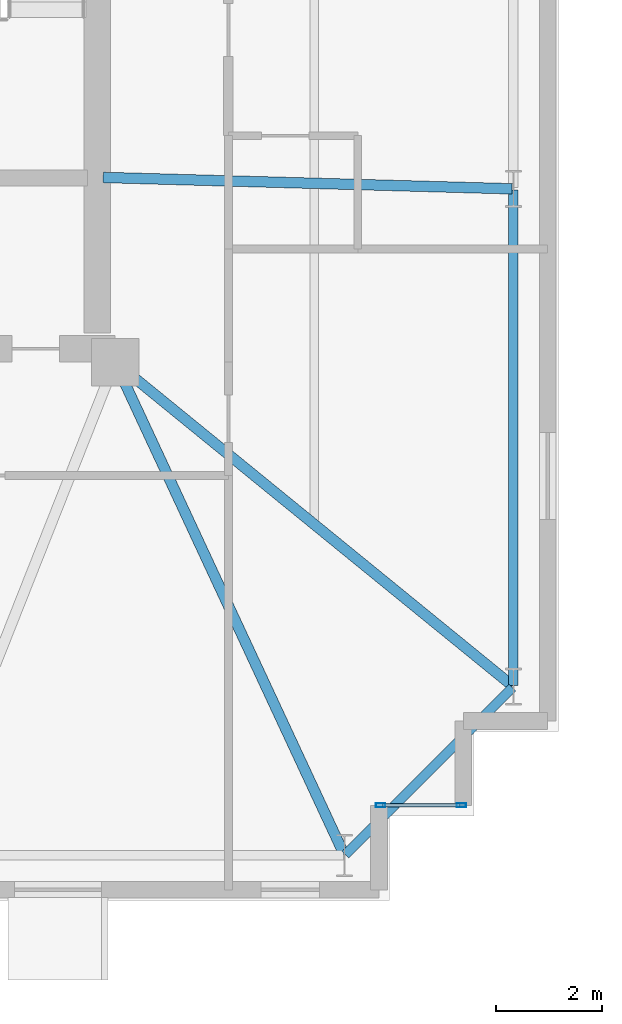
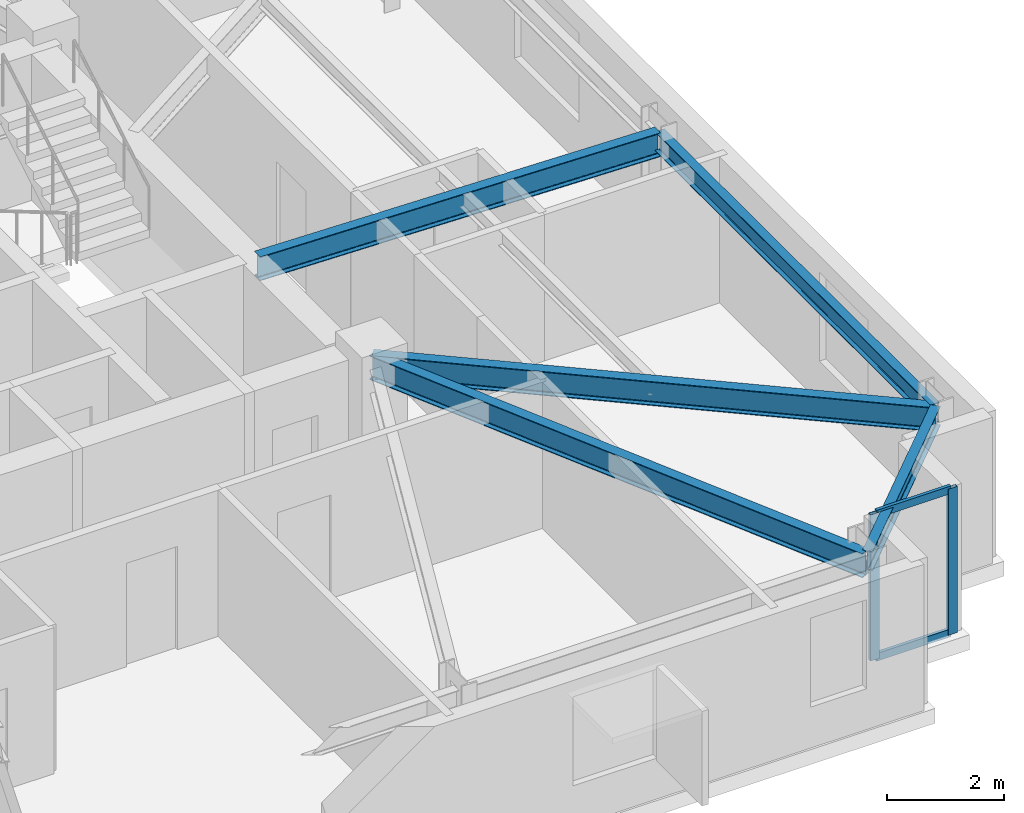
# One storey, part 5 of 17: 5 beams, 4 members, 1 element without a shape of its own.
"""IFC4 building model written with IfcOpenShell, lengths in metres."""

from ifc_helpers import new_model, si_unit, direction, frame, origin, origin_2d, place, context, subcontext, project, spatial, hollow_rectangle, i_section, extrude, material, layer, layer_set, material_profile, profile_set, type_object, element, aggregate, save


model = new_model("IFC4")

# Units and contexts
model_context = context("Model", 3, precision=1e-05, world=origin(), true_north=direction((0.0, 1.0)))
body_context = subcontext(model_context, "Body", "Model", "MODEL_VIEW")
ifc_project = project(units=[si_unit("LENGTHUNIT", "METRE"), si_unit("AREAUNIT", "SQUARE_METRE"), si_unit("VOLUMEUNIT", "CUBIC_METRE"), si_unit("PLANEANGLEUNIT", "RADIAN"), si_unit("MASSUNIT", "GRAM", prefix="KILO")], contexts=[model_context])

# Site, building, storey
site_placement = place(None, origin())
site = spatial("IfcSite", under=ifc_project, at=site_placement, CompositionType="ELEMENT")
building_placement = place(site_placement, origin())
building = spatial("IfcBuilding", under=site, at=building_placement, Name="Qobustan Lattice House", CompositionType="ELEMENT")
storey_placement = place(building_placement, frame((0.0, 0.0, 144.39990234375)))
storey = spatial("IfcBuildingStorey", under=building, at=storey_placement, Name="L40", CompositionType="ELEMENT", Elevation=144.39990234375)

# Beams
ifc_material_1 = material(Name="Steel S355", Category="steel")
ifc_material_profile_1 = material_profile(ifc_material_1, i_section(OverallWidth=0.199951171875, OverallDepth=0.5, WebThickness=0.01025390625, FlangeThickness=0.01611328125, FilletRadius=0.02099609375, at=origin_2d()), Name="IPE500")
ifc_profile_set_1 = profile_set([ifc_material_profile_1], Name="Steel S355")
beam_type_1 = type_object("IfcBeamType", Name="BM-FLG-IPE500", PredefinedType="USERDEFINED", material=ifc_profile_set_1)
beam_1_placement = place(storey_placement, frame((23.139404296875, -14.92724609375, 2.7900390625), z_axis=(-0.421827633168, 0.906676043521, 0.0), x_axis=(-0.906676043521, -0.421827633168, 0.0)))
element("IfcBeam", 1, at=beam_1_placement, inside=storey, type_object=beam_type_1, Name="L40 primary floor girder RAD-S7E", ObjectType="GIRDER", PredefinedType="USERDEFINED", context=body_context, shape_type="SweptSolid", body=[
    extrude(i_section(OverallWidth=0.199951171875, OverallDepth=0.5, WebThickness=0.01025390625, FlangeThickness=0.01611328125, FilletRadius=0.02099609375, at=origin_2d()), origin(), (0.0, 0.0, 1.0), 10.26220703125),
])
beam_2_placement = place(storey_placement, frame((26.324951171875, -2.31591796875, 2.7900390625), z_axis=(-0.999614226396, 0.027774059592, 0.0), x_axis=(-0.027774059592, -0.999614226396, 0.0)))
element("IfcBeam", 2, at=beam_2_placement, inside=storey, type_object=beam_type_1, Name="L40 primary floor girder RAD-E2", ObjectType="GIRDER", PredefinedType="USERDEFINED", context=body_context, shape_type="SweptSolid", body=[
    extrude(i_section(OverallWidth=0.199951171875, OverallDepth=0.5, WebThickness=0.01025390625, FlangeThickness=0.01611328125, FilletRadius=0.02099609375, at=origin_2d()), origin(), (0.0, 0.0, 1.0), 7.7529296875),
])
beam_3_placement = place(storey_placement, frame((26.33056640625, -11.734130859375, 2.7900390625), z_axis=(-0.775328675038, 0.631557951152, 0.0), x_axis=(-0.631557951152, -0.775328675038, 0.0)))
element("IfcBeam", 3, at=beam_3_placement, inside=storey, type_object=beam_type_1, Name="L40 primary floor girder RAD-E1", ObjectType="GIRDER", PredefinedType="USERDEFINED", context=body_context, shape_type="SweptSolid", body=[
    extrude(i_section(OverallWidth=0.199951171875, OverallDepth=0.5, WebThickness=0.01025390625, FlangeThickness=0.01611328125, FilletRadius=0.02099609375, at=origin_2d()), origin(), (0.0, 0.0, 1.0), 9.687744140625),
])
ifc_material_2 = material(Name="Steel S355", Category="steel")
ifc_material_profile_2 = material_profile(ifc_material_2, i_section(OverallWidth=0.179931640625, OverallDepth=0.39990234375, WebThickness=0.008544921875, FlangeThickness=0.013427734375, FilletRadius=0.02099609375, at=origin_2d()), Name="IPE400")
ifc_profile_set_2 = profile_set([ifc_material_profile_2], Name="Steel S355")
beam_type_2 = type_object("IfcBeamType", Name="BM-SPD-IPE400", PredefinedType="SPANDREL", material=ifc_profile_set_2)
beam_4_placement = place(storey_placement, frame((23.167724609375, -14.932373046875, 2.840087890625), z_axis=(0.707079505568, 0.707134055753, 0.0), x_axis=(-0.707134055753, 0.707079505568, 0.0)))
element("IfcBeam", 4, at=beam_4_placement, inside=storey, type_object=beam_type_2, Name="L40 perimeter spandrel S7-E1", PredefinedType="SPANDREL", context=body_context, shape_type="SweptSolid", body=[
    extrude(i_section(OverallWidth=0.179931640625, OverallDepth=0.39990234375, WebThickness=0.008544921875, FlangeThickness=0.013427734375, FilletRadius=0.02099609375, at=origin_2d()), origin(), (0.0, 0.0, 1.0), 4.4755859375),
])
beam_5_placement = place(storey_placement, frame((26.35009765625, -11.72509765625, 2.840087890625), z_axis=(0.0, 1.0, 0.0), x_axis=(-1.0, 0.0, 0.0)))
element("IfcBeam", 5, at=beam_5_placement, inside=storey, type_object=beam_type_2, Name="L40 perimeter spandrel E1-E2", PredefinedType="SPANDREL", context=body_context, shape_type="SweptSolid", body=[
    extrude(i_section(OverallWidth=0.179931640625, OverallDepth=0.39990234375, WebThickness=0.008544921875, FlangeThickness=0.013427734375, FilletRadius=0.02099609375, at=origin_2d()), origin(), (0.0, 0.0, 1.0), 9.38330078125),
])

# Curtain wall, members
ifc_material_3 = material(Name="Anodised aluminium and low-E glazing", Category="aluminium")
ifc_layer = layer(ifc_material_3, 0.219970703125)
ifc_layer_set = layer_set([ifc_layer], Name="Anodised aluminium and low-E glazing")
curtain_wall_type = type_object("IfcCurtainWallType", Name="CW-FAC-02", PredefinedType="USERDEFINED", material=ifc_layer_set)
curtain_wall_placement = place(storey_placement, origin())
curtain_wall = element("IfcCurtainWall", 6, at=curtain_wall_placement, inside=storey, type_object=curtain_wall_type, Name="L40 serrated corner faceted glazing 18", ObjectType="CURTAIN WALL", PredefinedType="USERDEFINED")
ifc_material_4 = material(Name="Anodised aluminium EN AW-6063 T6", Category="aluminium")
ifc_material_profile_3 = material_profile(ifc_material_4, hollow_rectangle(XDim=0.070068359375, YDim=0.179931640625, WallThickness=0.00439453125, at=origin_2d()), Name="CWM-180x70")
ifc_profile_set_3 = profile_set([ifc_material_profile_3], Name="Anodised aluminium EN AW-6063 T6")
member_type_1 = type_object("IfcMemberType", Name="CWM-STD-180", PredefinedType="MULLION", material=ifc_profile_set_3)
member_1_placement = place(storey_placement, frame((25.364990234375, -14.0, 0.0), z_axis=(0.0, 0.0, 1.0), x_axis=(0.0, -1.0, 0.0)))
member_1 = element("IfcMember", 7, at=member_1_placement, type_object=member_type_1, Name="CW-F2 mullion 1", PredefinedType="MULLION", context=body_context, shape_type="SweptSolid", body=[
    extrude(hollow_rectangle(XDim=0.070068359375, YDim=0.179931640625, WallThickness=0.00439453125, at=origin_2d()), origin(), (0.0, 0.0, 1.0), 3.0400390625),
])
member_2_placement = place(storey_placement, frame((23.8349609375, -14.0, 0.0), z_axis=(0.0, 0.0, 1.0), x_axis=(0.0, -1.0, 0.0)))
member_2 = element("IfcMember", 8, at=member_2_placement, type_object=member_type_1, Name="CW-F2 mullion 2", PredefinedType="MULLION", context=body_context, shape_type="SweptSolid", body=[
    extrude(hollow_rectangle(XDim=0.070068359375, YDim=0.179931640625, WallThickness=0.00439453125, at=origin_2d()), origin(), (0.0, 0.0, 1.0), 3.0400390625),
])
ifc_material_5 = material(Name="Anodised aluminium EN AW-6063 T6", Category="aluminium")
ifc_material_profile_4 = material_profile(ifc_material_5, hollow_rectangle(XDim=0.06494140625, YDim=0.159912109375, WallThickness=0.00390625, at=origin_2d()), Name="CWT-160x65")
ifc_profile_set_4 = profile_set([ifc_material_profile_4], Name="Anodised aluminium EN AW-6063 T6")
member_type_2 = type_object("IfcMemberType", Name="CWT-HOR-160", PredefinedType="USERDEFINED", material=ifc_profile_set_4)
member_3_placement = place(storey_placement, frame((25.330078125, -14.0, 0.03271484375), z_axis=(-1.0, 0.0, 0.0), x_axis=(0.0, -1.0, 0.0)))
member_3 = element("IfcMember", 9, at=member_3_placement, type_object=member_type_2, Name="CW-F2 transom 1.1", ObjectType="TRANSOM", PredefinedType="USERDEFINED", context=body_context, shape_type="SweptSolid", body=[
    extrude(hollow_rectangle(XDim=0.06494140625, YDim=0.159912109375, WallThickness=0.00390625, at=origin_2d()), origin(), (0.0, 0.0, 1.0), 1.4599609375),
])
member_4_placement = place(storey_placement, frame((25.330078125, -14.0, 3.007568359375), z_axis=(-1.0, 0.0, 0.0), x_axis=(0.0, -1.0, 0.0)))
member_4 = element("IfcMember", 10, at=member_4_placement, type_object=member_type_2, Name="CW-F2 transom 1.2", ObjectType="TRANSOM", PredefinedType="USERDEFINED", context=body_context, shape_type="SweptSolid", body=[
    extrude(hollow_rectangle(XDim=0.06494140625, YDim=0.159912109375, WallThickness=0.00390625, at=origin_2d()), origin(), (0.0, 0.0, 1.0), 1.4599609375),
])
aggregate(curtain_wall, [member_1, member_2, member_3, member_4])

save(model, "model.ifc")
